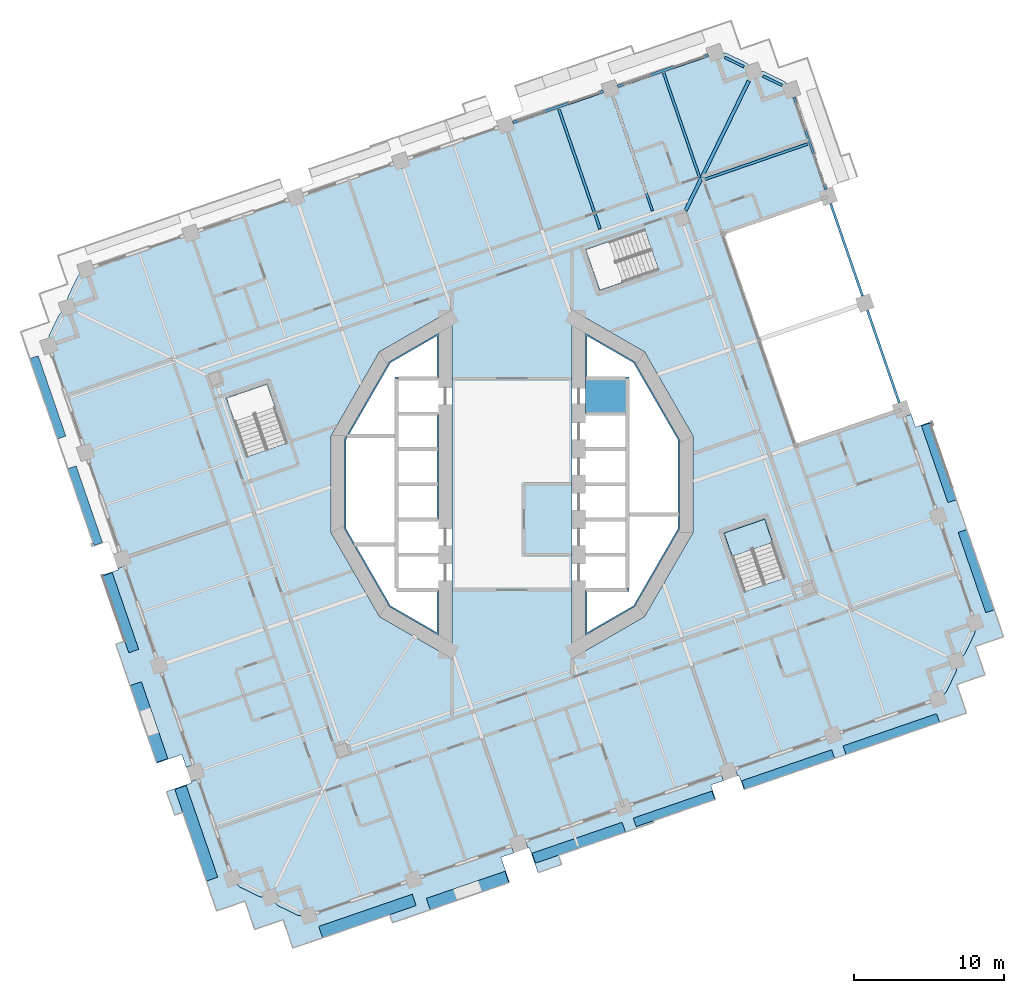
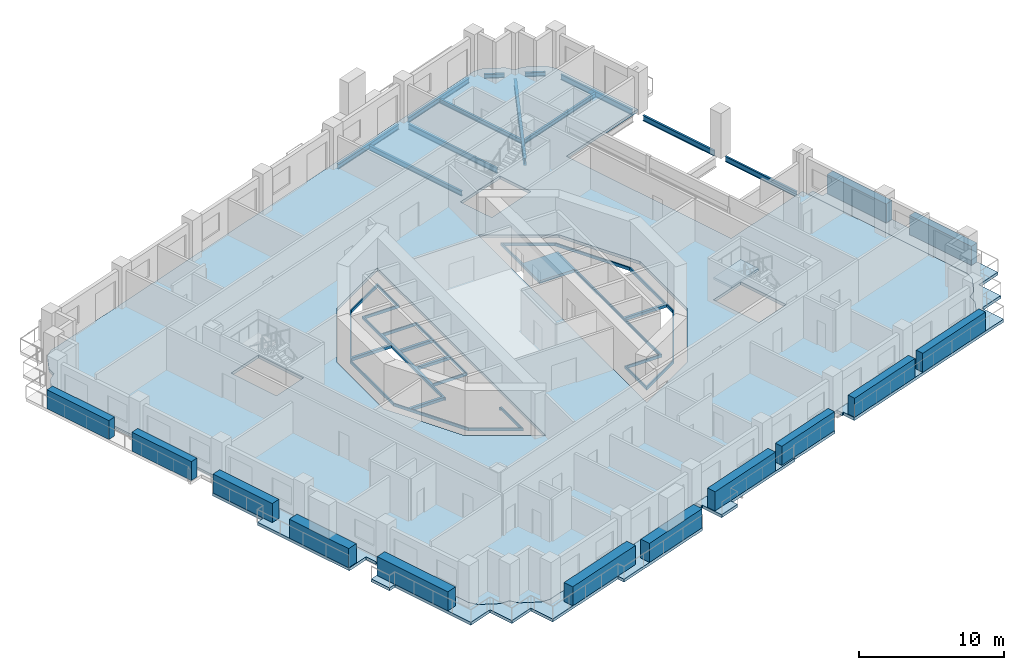
# One storey, part 5 of 19: 13 plates, 12 beams, 8 slabs, 1 element without a shape of its own.
"""IFC4 building model written with IfcOpenShell, lengths in metres."""

from ifc_helpers import new_model, si_unit, direction, frame, origin, origin_2d, place, context, subcontext, project, spatial, polyline, rectangle, i_section, outline, extrude, material, layer, layer_set, material_profile, profile_set, type_object, element, aggregate, save


model = new_model("IFC4")

# Units and contexts
model_context = context("Model", 3, precision=1e-05, world=origin(), true_north=direction((0.0, 1.0)))
body_context = subcontext(model_context, "Body", "Model", "MODEL_VIEW")
ifc_project = project(units=[si_unit("LENGTHUNIT", "METRE"), si_unit("AREAUNIT", "SQUARE_METRE"), si_unit("VOLUMEUNIT", "CUBIC_METRE"), si_unit("PLANEANGLEUNIT", "RADIAN"), si_unit("MASSUNIT", "GRAM", prefix="KILO")], contexts=[model_context])

# Site, building, storey
site_placement = place(None, origin())
site = spatial("IfcSite", under=ifc_project, at=site_placement, CompositionType="ELEMENT")
building_placement = place(site_placement, origin())
building = spatial("IfcBuilding", under=site, at=building_placement, Name="Cantera Rosa Tower", CompositionType="ELEMENT")
storey_placement = place(building_placement, frame((0.0, 0.0, 126.89990234375)))
storey = spatial("IfcBuildingStorey", under=building, at=storey_placement, Name="L26", CompositionType="ELEMENT", Elevation=126.89990234375)

# Beams
ifc_material_1 = material(Name="Steel ASTM A992 (Fy 345 MPa)", Category="steel")
ifc_material_profile_1 = material_profile(ifc_material_1, i_section(OverallWidth=0.154052734375, OverallDepth=0.4599609375, WebThickness=0.009033203125, FlangeThickness=0.015380859375, FilletRadius=0.01025390625, at=origin_2d()), Name="W460X68")
ifc_profile_set_1 = profile_set([ifc_material_profile_1], Name="Steel ASTM A992 (Fy 345 MPa)")
beam_type_1 = type_object("IfcBeamType", Name="STEEL BEAM W460X68", PredefinedType="BEAM", material=ifc_profile_set_1)
beam_1_placement = place(storey_placement, frame((6.7333984375, 25.903564453125, -0.47998046875), z_axis=(0.325580085327, -0.945514467387, 0.0), x_axis=(0.945514467387, 0.325580085327, 0.0)))
element("IfcBeam", 1, at=beam_1_placement, inside=storey, type_object=beam_type_1, Name="G-Z2-05 L26", PredefinedType="BEAM", context=body_context, shape_type="SweptSolid", body=[
    extrude(i_section(OverallWidth=0.154052734375, OverallDepth=0.4599609375, WebThickness=0.009033203125, FlangeThickness=0.015380859375, FilletRadius=0.01025390625, at=origin_2d()), origin(), (0.0, 0.0, 1.0), 8.10009765625),
])
ifc_material_2 = material(Name="Steel ASTM A992 (Fy 345 MPa)", Category="steel")
ifc_material_profile_2 = material_profile(ifc_material_2, i_section(OverallWidth=0.22802734375, OverallDepth=0.60205078125, WebThickness=0.010498046875, FlangeThickness=0.014892578125, FilletRadius=0.0126953125, at=origin_2d()), Name="W610X101")
ifc_profile_set_2 = profile_set([ifc_material_profile_2], Name="Steel ASTM A992 (Fy 345 MPa)")
beam_type_2 = type_object("IfcBeamType", Name="STEEL BEAM W610X101", PredefinedType="BEAM", material=ifc_profile_set_2)
beam_2_placement = place(storey_placement, frame((15.7998046875, 26.909912109375, -0.55078125), z_axis=(-0.438387618569, -0.898786012288, 0.0), x_axis=(0.898786012288, -0.438387618569, 0.0)))
element("IfcBeam", 2, at=beam_2_placement, inside=storey, type_object=beam_type_2, Name="CB-Z2-01 L26", PredefinedType="BEAM", context=body_context, shape_type="SweptSolid", body=[
    extrude(i_section(OverallWidth=0.22802734375, OverallDepth=0.60205078125, WebThickness=0.010498046875, FlangeThickness=0.014892578125, FilletRadius=0.0126953125, at=origin_2d()), origin(), (0.0, 0.0, 1.0), 9.61669921875),
])
ifc_material_3 = material(Name="Steel ASTM A992 (Fy 345 MPa)", Category="steel")
ifc_material_profile_3 = material_profile(ifc_material_3, i_section(OverallWidth=0.1708984375, OverallDepth=0.35595703125, WebThickness=0.00732421875, FlangeThickness=0.01171875, FilletRadius=0.010009765625, at=origin_2d()), Name="W360X51")
ifc_profile_set_3 = profile_set([ifc_material_profile_3], Name="Steel ASTM A992 (Fy 345 MPa)")
beam_type_3 = type_object("IfcBeamType", Name="STEEL JOIST W360X51", PredefinedType="JOIST", material=ifc_profile_set_3)
beam_3_placement = place(storey_placement, frame((19.734130859375, 22.70166015625, -0.427978515625), z_axis=(-0.945518264054, -0.32556905925, 0.0), x_axis=(0.32556905925, -0.945518264054, 0.0)))
element("IfcBeam", 3, at=beam_3_placement, inside=storey, type_object=beam_type_3, Name="B-Z2-05 L26", PredefinedType="JOIST", context=body_context, shape_type="SweptSolid", body=[
    extrude(i_section(OverallWidth=0.1708984375, OverallDepth=0.35595703125, WebThickness=0.00732421875, FlangeThickness=0.01171875, FilletRadius=0.010009765625, at=origin_2d()), origin(), (0.0, 0.0, 1.0), 7.4599609375),
])
beam_4_placement = place(storey_placement, frame((10.117919921875, 27.43896484375, -0.427978515625), z_axis=(0.325565645331, -0.945519439557, 0.0), x_axis=(0.945519439557, 0.325565645331, 0.0)))
element("IfcBeam", 4, at=beam_4_placement, inside=storey, type_object=beam_type_3, Name="B-Z2-06 L26", PredefinedType="JOIST", context=body_context, shape_type="SweptSolid", body=[
    extrude(i_section(OverallWidth=0.1708984375, OverallDepth=0.35595703125, WebThickness=0.00732421875, FlangeThickness=0.01171875, FilletRadius=0.010009765625, at=origin_2d()), origin(), (0.0, 0.0, 1.0), 7.39990234375),
])
ifc_material_4 = material(Name="Steel ASTM A992 (Fy 345 MPa)", Category="steel")
ifc_material_profile_4 = material_profile(ifc_material_4, i_section(OverallWidth=0.177978515625, OverallDepth=0.406005859375, WebThickness=0.0078125, FlangeThickness=0.0126953125, FilletRadius=0.01025390625, at=origin_2d()), Name="W410X60")
ifc_profile_set_4 = profile_set([ifc_material_profile_4], Name="Steel ASTM A992 (Fy 345 MPa)")
beam_type_4 = type_object("IfcBeamType", Name="STEEL JOIST W410X60", PredefinedType="JOIST", material=ifc_profile_set_4)
beam_5_placement = place(storey_placement, frame((3.12109375, 25.02978515625, -0.452880859375), z_axis=(0.325565025235, -0.945519653071, 0.0), x_axis=(0.945519653071, 0.325565025235, 0.0)))
element("IfcBeam", 5, at=beam_5_placement, inside=storey, type_object=beam_type_4, Name="B-Z2-07 L26", PredefinedType="JOIST", context=body_context, shape_type="SweptSolid", body=[
    extrude(i_section(OverallWidth=0.177978515625, OverallDepth=0.406005859375, WebThickness=0.0078125, FlangeThickness=0.0126953125, FilletRadius=0.01025390625, at=origin_2d()), origin(), (0.0, 0.0, 1.0), 8.449951171875),
])
ifc_material_5 = material(Name="Steel ASTM A992 (Fy 345 MPa)", Category="steel")
ifc_material_profile_5 = material_profile(ifc_material_5, i_section(OverallWidth=0.1708984375, OverallDepth=0.35595703125, WebThickness=0.00732421875, FlangeThickness=0.01171875, FilletRadius=0.010009765625, at=origin_2d()), Name="W360X51")
ifc_profile_set_5 = profile_set([ifc_material_profile_5], Name="Steel ASTM A992 (Fy 345 MPa)")
beam_type_5 = type_object("IfcBeamType", Name="STEEL SPANDREL BEAM W360X51", PredefinedType="SPANDREL", material=ifc_profile_set_5)
for number, where, z_axis, x_axis, name in (
    (6, (18.016357421875, 26.61572265625, -0.427978515625), (-0.898803287583, 0.438352198842, 0.0), (-0.438352198842, -0.898803287583, 0.0), "EB-Z2-06 L26"),
    (7, (15.47412109375, 27.85546875, -0.427978515625), (-0.898803287583, 0.438352198842, 0.0), (-0.438352198842, -0.898803287583, 0.0), "EB-Z2-07 L26"),
):
    element("IfcBeam", number, at=place(storey_placement, frame(where, z_axis=z_axis, x_axis=x_axis)), inside=storey, type_object=beam_type_5, Name=name, PredefinedType="SPANDREL", context=body_context, shape_type="SweptSolid", body=[
        extrude(i_section(OverallWidth=0.1708984375, OverallDepth=0.35595703125, WebThickness=0.00732421875, FlangeThickness=0.01171875, FilletRadius=0.010009765625, at=origin_2d()), origin(), (0.0, 0.0, 1.0), 1.4140625),
    ])
ifc_material_6 = material(Name="Steel ASTM A992 (Fy 345 MPa)", Category="steel")
ifc_material_profile_6 = material_profile(ifc_material_6, i_section(OverallWidth=0.177978515625, OverallDepth=0.406005859375, WebThickness=0.0078125, FlangeThickness=0.0126953125, FilletRadius=0.01025390625, at=origin_2d()), Name="W410X60")
ifc_profile_set_6 = profile_set([ifc_material_profile_6], Name="Steel ASTM A992 (Fy 345 MPa)")
beam_type_6 = type_object("IfcBeamType", Name="STEEL SPANDREL BEAM W410X60", PredefinedType="SPANDREL", material=ifc_profile_set_6)
for number, where, z_axis, x_axis, name in (
    (8, (13.0947265625, 28.62255859375, -0.452880859375), (-0.945524496524, -0.325550958337, 0.0), (0.325550958337, -0.945524496524, 0.0), "EB-Z2-08 L26"),
    (9, (6.097900390625, 26.21337890625, -0.452880859375), (-0.945524496524, -0.325550958337, 0.0), (0.325550958337, -0.945524496524, 0.0), "EB-Z2-09 L26"),
):
    element("IfcBeam", number, at=place(storey_placement, frame(where, z_axis=z_axis, x_axis=x_axis)), inside=storey, type_object=beam_type_6, Name=name, PredefinedType="SPANDREL", context=body_context, shape_type="SweptSolid", body=[
        extrude(i_section(OverallWidth=0.177978515625, OverallDepth=0.406005859375, WebThickness=0.0078125, FlangeThickness=0.0126953125, FilletRadius=0.01025390625, at=origin_2d()), origin(), (0.0, 0.0, 1.0), 6.39990234375),
    ])
ifc_material_7 = material(Name="Steel ASTM A992 (Fy 345 MPa)", Category="steel")
ifc_material_profile_7 = material_profile(ifc_material_7, i_section(OverallWidth=0.154052734375, OverallDepth=0.4599609375, WebThickness=0.009033203125, FlangeThickness=0.015380859375, FilletRadius=0.01025390625, at=origin_2d()), Name="W460X68")
ifc_profile_set_7 = profile_set([ifc_material_profile_7], Name="Steel ASTM A992 (Fy 345 MPa)")
beam_type_7 = type_object("IfcBeamType", Name="STEEL SPANDREL BEAM W460X68", PredefinedType="SPANDREL", material=ifc_profile_set_7)
for number, where, z_axis, x_axis, name in (
    (10, (25.833984375, 5.447509765625, -0.47998046875), (-0.325580990241, 0.945514155787, 0.0), (-0.945514155787, -0.325580990241, 0.0), "EB-Z2-03 L26"),
    (11, (23.3857421875, 12.557861328125, -0.47998046875), (-0.325580990241, 0.945514155787, 0.0), (-0.945514155787, -0.325580990241, 0.0), "EB-Z2-04 L26"),
):
    element("IfcBeam", number, at=place(storey_placement, frame(where, z_axis=z_axis, x_axis=x_axis)), inside=storey, type_object=beam_type_7, Name=name, PredefinedType="SPANDREL", context=body_context, shape_type="SweptSolid", body=[
        extrude(i_section(OverallWidth=0.154052734375, OverallDepth=0.4599609375, WebThickness=0.009033203125, FlangeThickness=0.015380859375, FilletRadius=0.01025390625, at=origin_2d()), origin(), (0.0, 0.0, 1.0), 6.52001953125),
    ])
beam_6_placement = place(storey_placement, frame((20.9375, 19.668212890625, -0.47998046875), z_axis=(-0.325592517631, 0.945510186335, 0.0), x_axis=(-0.945510186335, -0.325592517631, 0.0)))
element("IfcBeam", 12, at=beam_6_placement, inside=storey, type_object=beam_type_7, Name="EB-Z2-05 L26", PredefinedType="SPANDREL", context=body_context, shape_type="SweptSolid", body=[
    extrude(i_section(OverallWidth=0.154052734375, OverallDepth=0.4599609375, WebThickness=0.009033203125, FlangeThickness=0.015380859375, FilletRadius=0.01025390625, at=origin_2d()), origin(), (0.0, 0.0, 1.0), 6.519775390625),
])

# Slabs
ifc_material_8 = material(Name="Concrete C35/45", Category="concrete")
ifc_layer_1 = layer(ifc_material_8, 0.25)
ifc_layer_set_1 = layer_set([ifc_layer_1], Name="COMPOSITE FLOOR SLAB 250 C35/45")
slab_type_1 = type_object("IfcSlabType", Name="COMPOSITE FLOOR SLAB 250 C35/45", PredefinedType="FLOOR", material=ifc_layer_set_1)
slab_1_placement = place(storey_placement, frame((0.0, 0.0, -0.25)))
element("IfcSlab", 13, at=slab_1_placement, inside=storey, type_object=slab_type_1, Name="SLAB L26 floor 1", PredefinedType="FLOOR", context=body_context, shape_type="SweptSolid", body=[
    extrude(outline(polyline([(-10.403076171875, -4.12939453125), (-8.106689453125, -8.106689453125), (-5.0, -9.900390625), (-5.0, -7.14990234375), (-5.0927734375, -7.050048828125), (-4.89990234375, -7.050048828125), (-4.89990234375, -10.07373046875), (-8.179931640625, -8.179931640625), (-11.174072265625, -2.994140625), (-11.174072265625, 2.994140625), (-8.179931640625, 8.179931640625), (-4.89990234375, 10.07373046875), (-4.89990234375, 7.050048828125), (-7.699951171875, 7.050048828125), (-7.699951171875, 4.699951171875), (-4.89990234375, 4.699951171875), (-4.89990234375, -2.35009765625), (-7.699951171875, -2.35009765625), (-7.699951171875, -4.2373046875), (-7.800048828125, -4.12939453125), (-10.403076171875, -4.12939453125)]), holes=[polyline([(-7.60009765625, -0.10009765625), (-7.60009765625, -2.25), (-5.0, -2.25), (-5.0, -0.10009765625), (-7.60009765625, -0.10009765625)]), polyline([(-11.07421875, 2.96728515625), (-11.07421875, -2.96728515625), (-10.5185546875, -3.929443359375), (-7.800048828125, -3.929443359375), (-7.800048828125, -2.449951171875), (-7.800048828125, -2.25), (-7.800048828125, 2.25), (-7.800048828125, 2.449951171875), (-7.800048828125, 3.12353515625), (-10.98388671875, 3.12353515625), (-11.07421875, 2.96728515625)]), polyline([(-7.60009765625, 2.25), (-7.60009765625, 0.10009765625), (-5.0, 0.10009765625), (-5.0, 2.25), (-7.60009765625, 2.25)]), polyline([(-7.60009765625, 4.60009765625), (-7.60009765625, 2.449951171875), (-5.0, 2.449951171875), (-5.0, 4.60009765625), (-7.60009765625, 4.60009765625)]), polyline([(-8.106689453125, 8.106689453125), (-10.868408203125, 3.323486328125), (-7.800048828125, 3.323486328125), (-7.800048828125, 7.14990234375), (-5.0, 7.14990234375), (-5.0, 9.900390625), (-8.106689453125, 8.106689453125)])]), origin(), (0.0, 0.0, 1.0), 0.25),
])
slab_2_placement = place(storey_placement, frame((0.0, 0.0, -0.25)))
element("IfcSlab", 14, at=slab_2_placement, inside=storey, type_object=slab_type_1, Name="SLAB L26 floor 2", PredefinedType="FLOOR", context=body_context, shape_type="SweptSolid", body=[
    extrude(outline(polyline([(-14.334716796875, -28.7451171875), (-15.605712890625, -28.125), (-15.631591796875, -28.111083984375), (-15.65576171875, -28.09423828125), (-15.67822265625, -28.075439453125), (-15.698974609375, -28.05419921875), (-16.109619140625, -27.54541015625), (-16.763671875, -27.534912109375), (-16.79296875, -27.53173828125), (-16.82177734375, -27.525634765625), (-16.849609375, -27.516845703125), (-16.876708984375, -27.505126953125), (-18.14794921875, -26.88525390625), (-18.173583984375, -26.87109375), (-18.197998046875, -26.8544921875), (-18.220458984375, -26.83544921875), (-18.240966796875, -26.814453125), (-18.65185546875, -26.3056640625), (-18.948974609375, -25.443115234375), (-30.893310546875, 9.245849609375), (-30.8828125, 9.899658203125), (-30.87939453125, 9.928955078125), (-30.873291015625, 9.957763671875), (-30.864501953125, 9.98583984375), (-30.852783203125, 10.012939453125), (-30.23291015625, 11.283935546875), (-30.21875, 11.309814453125), (-30.2021484375, 11.333984375), (-30.18310546875, 11.356689453125), (-30.162109375, 11.377197265625), (-29.6533203125, 11.7880859375), (-29.642822265625, 12.44189453125), (-29.6396484375, 12.47119140625), (-29.633544921875, 12.5), (-29.62451171875, 12.528076171875), (-29.613037109375, 12.55517578125), (-28.9931640625, 13.826171875), (-28.97900390625, 13.85205078125), (-28.962158203125, 13.876220703125), (-28.943359375, 13.898681640625), (-28.922119140625, 13.91943359375), (-28.41357421875, 14.330078125), (-27.55078125, 14.627197265625), (13.567626953125, 28.785400390625), (14.221435546875, 28.77490234375), (14.250732421875, 28.771728515625), (14.279541015625, 28.765625), (14.3076171875, 28.756591796875), (14.334716796875, 28.7451171875), (15.605712890625, 28.125), (15.631591796875, 28.111083984375), (15.65576171875, 28.09423828125), (15.67822265625, 28.075439453125), (15.698974609375, 28.05419921875), (16.109619140625, 27.54541015625), (16.763671875, 27.534912109375), (16.79296875, 27.53173828125), (16.82177734375, 27.525634765625), (16.849609375, 27.516845703125), (16.876708984375, 27.505126953125), (18.14794921875, 26.88525390625), (18.173583984375, 26.87109375), (18.197998046875, 26.8544921875), (18.220458984375, 26.83544921875), (18.240966796875, 26.814453125), (18.65185546875, 26.3056640625), (18.948974609375, 25.443115234375), (21.10009765625, 19.1953125), (14.0087890625, 16.753662109375), (18.9052734375, 2.532958984375), (25.99658203125, 4.974609375), (30.893310546875, -9.245849609375), (30.8828125, -9.899658203125), (30.87939453125, -9.928955078125), (30.873291015625, -9.957763671875), (30.864501953125, -9.98583984375), (30.852783203125, -10.012939453125), (30.23291015625, -11.283935546875), (30.21875, -11.309814453125), (30.2021484375, -11.333984375), (30.18310546875, -11.356689453125), (30.162109375, -11.377197265625), (29.6533203125, -11.7880859375), (29.642822265625, -12.44189453125), (29.6396484375, -12.47119140625), (29.633544921875, -12.5), (29.62451171875, -12.528076171875), (29.613037109375, -12.55517578125), (28.9931640625, -13.826171875), (28.97900390625, -13.85205078125), (28.962158203125, -13.876220703125), (28.943359375, -13.898681640625), (28.922119140625, -13.91943359375), (28.41357421875, -14.330078125), (27.55078125, -14.627197265625), (-13.567626953125, -28.785400390625), (-14.221435546875, -28.77490234375), (-14.250732421875, -28.771728515625), (-14.279541015625, -28.765625), (-14.3076171875, -28.756591796875), (-14.334716796875, -28.7451171875)]), holes=[polyline([(-8.8388671875, 8.8388671875), (-12.07421875, 3.235107421875), (-12.07421875, -3.235107421875), (-8.8388671875, -8.8388671875), (-4.0, -11.632568359375), (-4.0, 11.632568359375), (-8.8388671875, 8.8388671875)]), polyline([(-15.000732421875, 2.751708984375), (-16.347900390625, 6.6640625), (-19.042724609375, 5.736083984375), (-17.695556640625, 1.82373046875), (-15.000732421875, 2.751708984375)]), polyline([(18.19921875, -6.248291015625), (16.85205078125, -2.3359375), (14.1572265625, -3.263916015625), (15.50439453125, -7.17626953125), (18.19921875, -6.248291015625)]), polyline([(8.8388671875, -8.8388671875), (12.07421875, -3.235107421875), (12.07421875, 3.235107421875), (8.8388671875, 8.8388671875), (4.0, 11.632568359375), (4.0, -11.632568359375), (8.8388671875, -8.8388671875)]), polyline([(9.7763671875, 14.304443359375), (8.848388671875, 16.999267578125), (4.935791015625, 15.652099609375), (5.86376953125, 12.957275390625), (9.7763671875, 14.304443359375)])]), origin(), (0.0, 0.0, 1.0), 0.25),
])
slab_3_placement = place(storey_placement, frame((0.0, 0.0, -0.25)))
element("IfcSlab", 15, at=slab_3_placement, inside=storey, type_object=slab_type_1, Name="SLAB L26 floor 3", PredefinedType="FLOOR", context=body_context, shape_type="SweptSolid", body=[
    extrude(outline(polyline([(7.699951171875, 0.0), (7.699951171875, 2.35009765625), (7.699951171875, 4.699951171875), (4.89990234375, 4.699951171875), (4.89990234375, 10.07373046875), (8.179931640625, 8.179931640625), (11.174072265625, 2.994140625), (11.174072265625, -2.994140625), (8.179931640625, -8.179931640625), (4.89990234375, -10.07373046875), (4.89990234375, -7.050048828125), (7.699951171875, -7.050048828125), (7.699951171875, -4.699951171875), (7.699951171875, -2.35009765625), (7.699951171875, 0.0)]), holes=[polyline([(7.800048828125, -2.25), (7.800048828125, -2.449951171875), (7.800048828125, -7.14990234375), (5.0, -7.14990234375), (5.0, -9.900390625), (8.106689453125, -8.106689453125), (11.07421875, -2.96728515625), (11.07421875, -2.11474609375), (7.800048828125, -2.11474609375), (7.800048828125, -2.25)]), polyline([(5.0, 7.14990234375), (7.800048828125, 7.14990234375), (7.800048828125, 2.449951171875), (7.800048828125, 2.25), (7.800048828125, -1.914794921875), (11.07421875, -1.914794921875), (11.07421875, 2.96728515625), (8.106689453125, 8.106689453125), (5.0, 9.900390625), (5.0, 7.14990234375)])]), origin(), (0.0, 0.0, 1.0), 0.25),
])
ifc_material_9 = material(Name="Concrete C35/45", Category="concrete")
ifc_layer_2 = layer(ifc_material_9, 0.25)
ifc_layer_set_2 = layer_set([ifc_layer_2], Name="LOGGIA SLAB 250 C35/45")
slab_type_2 = type_object("IfcSlabType", Name="LOGGIA SLAB 250 C35/45", PredefinedType="FLOOR", material=ifc_layer_set_2)
slab_4_placement = place(storey_placement, frame((0.0, 0.0, -0.25)))
element("IfcSlab", 16, at=slab_4_placement, inside=storey, type_object=slab_type_2, Name="LOGGIA SLAB L26 2", PredefinedType="FLOOR", context=body_context, shape_type="SweptSolid", body=[
    extrude(outline(polyline([(-27.3505859375, -6.075439453125), (-26.274169921875, -5.704833984375), (-26.306640625, -5.6103515625), (-25.833984375, -5.447509765625), (-21.262939453125, -18.72265625), (-21.735595703125, -18.885498046875), (-22.02880859375, -18.034423828125), (-23.703369140625, -18.611083984375), (-26.435302734375, -10.677001953125), (-25.837158203125, -10.470947265625), (-27.3505859375, -6.075439453125)])), origin(), (0.0, 0.0, 1.0), 0.25),
])
slab_5_placement = place(storey_placement, frame((0.0, 0.0, -0.25)))
element("IfcSlab", 17, at=slab_5_placement, inside=storey, type_object=slab_type_2, Name="LOGGIA SLAB L26 3", PredefinedType="FLOOR", context=body_context, shape_type="SweptSolid", body=[
    extrude(outline(polyline([(-13.01416015625, -30.392822265625), (-14.62158203125, -30.9462890625), (-15.1748046875, -29.3388671875), (-15.272705078125, -29.05517578125), (-15.556396484375, -29.15283203125), (-17.16357421875, -29.706298828125), (-17.717041015625, -28.09912109375), (-17.814697265625, -27.815185546875), (-18.098388671875, -27.9130859375), (-19.705810546875, -28.466552734375), (-20.25927734375, -26.859130859375), (-21.968017578125, -21.896240234375), (-22.50830078125, -22.082275390625), (-23.05224609375, -20.502197265625), (-21.377685546875, -19.92529296875), (-21.41015625, -19.830810546875), (-20.9375, -19.668212890625), (-18.948974609375, -25.443115234375), (-18.65185546875, -26.3056640625), (-18.240966796875, -26.814453125), (-18.220458984375, -26.83544921875), (-18.197998046875, -26.8544921875), (-18.173583984375, -26.87109375), (-18.14794921875, -26.88525390625), (-16.876708984375, -27.505126953125), (-16.849609375, -27.516845703125), (-16.82177734375, -27.525634765625), (-16.79296875, -27.53173828125), (-16.763671875, -27.534912109375), (-16.109619140625, -27.54541015625), (-15.698974609375, -28.05419921875), (-15.67822265625, -28.075439453125), (-15.65576171875, -28.09423828125), (-15.631591796875, -28.111083984375), (-15.605712890625, -28.125), (-14.334716796875, -28.7451171875), (-14.3076171875, -28.756591796875), (-14.279541015625, -28.765625), (-14.250732421875, -28.771728515625), (-14.221435546875, -28.77490234375), (-13.567626953125, -28.785400390625), (-0.046630859375, -24.1298828125), (0.1162109375, -24.6025390625), (-0.73486328125, -24.8955078125), (-0.158935546875, -26.56787109375), (-7.977294921875, -29.260009765625), (-8.162353515625, -28.72216796875), (-13.01416015625, -30.392822265625)])), origin(), (0.0, 0.0, 1.0), 0.25),
])
slab_6_placement = place(storey_placement, frame((0.0, 0.0, -0.25)))
element("IfcSlab", 18, at=slab_6_placement, inside=storey, type_object=slab_type_2, Name="LOGGIA SLAB L26 5", PredefinedType="FLOOR", context=body_context, shape_type="SweptSolid", body=[
    extrude(outline(polyline([(1.061767578125, -24.277099609375), (0.89892578125, -23.80419921875), (13.947021484375, -19.311279296875), (14.10986328125, -19.7841796875), (13.2587890625, -20.0771484375), (13.58447265625, -21.022705078125), (13.489990234375, -21.05517578125), (9.44140625, -22.44921875), (9.47998046875, -22.56103515625), (3.097900390625, -24.758544921875), (3.309814453125, -25.37353515625), (1.73193359375, -25.916748046875), (1.15625, -24.244384765625), (1.061767578125, -24.277099609375)])), origin(), (0.0, 0.0, 1.0), 0.25),
])
slab_7_placement = place(storey_placement, frame((0.0, 0.0, -0.25)))
element("IfcSlab", 19, at=slab_7_placement, inside=storey, type_object=slab_type_2, Name="LOGGIA SLAB L26 7", PredefinedType="FLOOR", context=body_context, shape_type="SweptSolid", body=[
    extrude(outline(polyline([(29.375, -0.22900390625), (30.3515625, -3.0654296875), (32.3115234375, -8.757568359375), (32.7998046875, -10.17578125), (31.381591796875, -10.6640625), (30.908935546875, -10.826904296875), (31.071533203125, -11.2998046875), (31.56005859375, -12.718017578125), (30.1416015625, -13.206298828125), (29.6689453125, -13.369140625), (29.831787109375, -13.841796875), (30.320068359375, -15.260009765625), (28.90185546875, -15.74853515625), (23.3232421875, -17.669189453125), (20.48681640625, -18.64599609375), (16.326416015625, -20.07861328125), (15.4755859375, -20.37158203125), (15.14990234375, -19.426025390625), (15.055419921875, -19.45849609375), (14.892578125, -18.98583984375), (27.55078125, -14.627197265625), (28.41357421875, -14.330078125), (28.922119140625, -13.91943359375), (28.943359375, -13.898681640625), (28.962158203125, -13.876220703125), (28.97900390625, -13.85205078125), (28.9931640625, -13.826171875), (29.613037109375, -12.55517578125), (29.62451171875, -12.528076171875), (29.633544921875, -12.5), (29.6396484375, -12.47119140625), (29.642822265625, -12.44189453125), (29.6533203125, -11.7880859375), (30.162109375, -11.377197265625), (30.18310546875, -11.356689453125), (30.2021484375, -11.333984375), (30.21875, -11.309814453125), (30.23291015625, -11.283935546875), (30.852783203125, -10.012939453125), (30.864501953125, -9.98583984375), (30.873291015625, -9.957763671875), (30.87939453125, -9.928955078125), (30.8828125, -9.899658203125), (30.893310546875, -9.245849609375), (26.159423828125, 4.501953125), (26.63232421875, 4.664794921875), (26.92529296875, 3.813720703125), (28.001708984375, 4.184326171875), (28.079345703125, 3.958984375), (27.948486328125, 3.913818359375), (29.375, -0.22900390625)])), origin(), (0.0, 0.0, 1.0), 0.25),
])

# Plates
ifc_material_10 = material(Name="Cantera stone planter with soil", Category="masonry")
plate_type_1 = type_object("IfcPlateType", Name="PLANTER 600", PredefinedType="USERDEFINED", material=ifc_material_10)
plate_1_placement = place(storey_placement, frame((30.974609375, -5.79638671875, 0.0), z_axis=(0.0, 0.0, 1.0), x_axis=(-0.325568154457, 0.945518575599, 0.0)))
element("IfcPlate", 20, at=plate_1_placement, inside=storey, type_object=plate_type_1, Name="PLANTER L26-01", ObjectType="PLANTER", PredefinedType="USERDEFINED", context=body_context, shape_type="SweptSolid", body=[
    extrude(rectangle(XDim=5.669921875, YDim=0.60009765625, at=origin_2d()), origin(), (0.0, 0.0, 1.0), 1.60009765625),
])
plate_2_placement = place(storey_placement, frame((28.485595703125, 1.43212890625, 0.0), z_axis=(0.0, 0.0, 1.0), x_axis=(-0.325568154457, 0.945518575599, 0.0)))
element("IfcPlate", 21, at=plate_2_placement, inside=storey, type_object=plate_type_1, Name="PLANTER L26-02", ObjectType="PLANTER", PredefinedType="USERDEFINED", context=body_context, shape_type="SweptSolid", body=[
    extrude(rectangle(XDim=5.419921875, YDim=0.60009765625, at=origin_2d()), origin(), (0.0, 0.0, 1.0), 1.60009765625),
])
plate_3_placement = place(storey_placement, frame((-30.974609375, 5.79638671875, 0.0), z_axis=(0.0, 0.0, 1.0), x_axis=(0.325568154457, -0.945518575599, 0.0)))
element("IfcPlate", 22, at=plate_3_placement, inside=storey, type_object=plate_type_1, Name="PLANTER L26-12", ObjectType="PLANTER", PredefinedType="USERDEFINED", context=body_context, shape_type="SweptSolid", body=[
    extrude(rectangle(XDim=5.669921875, YDim=0.60009765625, at=origin_2d()), origin(), (0.0, 0.0, 1.0), 1.60009765625),
])
plate_4_placement = place(storey_placement, frame((-28.485595703125, -1.43212890625, 0.0), z_axis=(0.0, 0.0, 1.0), x_axis=(0.325568154457, -0.945518575599, 0.0)))
element("IfcPlate", 23, at=plate_4_placement, inside=storey, type_object=plate_type_1, Name="PLANTER L26-13", ObjectType="PLANTER", PredefinedType="USERDEFINED", context=body_context, shape_type="SweptSolid", body=[
    extrude(rectangle(XDim=5.419921875, YDim=0.60009765625, at=origin_2d()), origin(), (0.0, 0.0, 1.0), 1.60009765625),
])
plate_5_placement = place(storey_placement, frame((10.815673828125, -21.65869140625, 0.0), z_axis=(0.0, 0.0, 1.0), x_axis=(0.945518575599, 0.325568154457, 0.0)))
element("IfcPlate", 24, at=plate_5_placement, inside=storey, type_object=plate_type_1, Name="PLANTER L26-20", ObjectType="PLANTER", PredefinedType="USERDEFINED", context=body_context, shape_type="SweptSolid", body=[
    extrude(rectangle(XDim=5.550048828125, YDim=0.60009765625, at=origin_2d()), origin(), (0.0, 0.0, 1.0), 1.60009765625),
])
plate_6_placement = place(storey_placement, frame((18.427001953125, -19.037841796875, 0.0), z_axis=(0.0, 0.0, 1.0), x_axis=(0.945518575599, 0.325568154457, 0.0)))
element("IfcPlate", 25, at=plate_6_placement, inside=storey, type_object=plate_type_1, Name="PLANTER L26-21", ObjectType="PLANTER", PredefinedType="USERDEFINED", context=body_context, shape_type="SweptSolid", body=[
    extrude(rectangle(XDim=6.35009765625, YDim=0.60009765625, at=origin_2d()), origin(), (0.0, 0.0, 1.0), 1.60009765625),
])
plate_7_placement = place(storey_placement, frame((25.3056640625, -16.66943359375, 0.0), z_axis=(0.0, 0.0, 1.0), x_axis=(0.945518575599, 0.325568154457, 0.0)))
element("IfcPlate", 26, at=plate_7_placement, inside=storey, type_object=plate_type_1, Name="PLANTER L26-22", ObjectType="PLANTER", PredefinedType="USERDEFINED", context=body_context, shape_type="SweptSolid", body=[
    extrude(rectangle(XDim=6.60009765625, YDim=0.60009765625, at=origin_2d()), origin(), (0.0, 0.0, 1.0), 1.60009765625),
])
ifc_material_11 = material(Name="Cantera stone planter with soil", Category="masonry")
plate_type_2 = type_object("IfcPlateType", Name="PLANTER 700", PredefinedType="USERDEFINED", material=ifc_material_11)
plate_8_placement = place(storey_placement, frame((-26.12109375, -8.571044921875, 0.0), z_axis=(0.0, 0.0, 1.0), x_axis=(0.325568154457, -0.945518575599, 0.0)))
element("IfcPlate", 27, at=plate_8_placement, inside=storey, type_object=plate_type_2, Name="PLANTER L26-14", ObjectType="PLANTER", PredefinedType="USERDEFINED", context=body_context, shape_type="SweptSolid", body=[
    extrude(rectangle(XDim=5.419921875, YDim=0.699951171875, at=origin_2d()), origin(), (0.0, 0.0, 1.0), 1.60009765625),
])
plate_9_placement = place(storey_placement, frame((4.45556640625, -23.9208984375, 0.0), z_axis=(0.0, 0.0, 1.0), x_axis=(0.945518575599, 0.325568154457, 0.0)))
element("IfcPlate", 28, at=plate_9_placement, inside=storey, type_object=plate_type_2, Name="PLANTER L26-19", ObjectType="PLANTER", PredefinedType="USERDEFINED", context=body_context, shape_type="SweptSolid", body=[
    extrude(rectangle(XDim=6.35009765625, YDim=0.699951171875, at=origin_2d()), origin(), (0.0, 0.0, 1.0), 1.60009765625),
])
ifc_material_12 = material(Name="Cantera stone planter with soil", Category="masonry")
plate_type_3 = type_object("IfcPlateType", Name="PLANTER 800", PredefinedType="USERDEFINED", material=ifc_material_12)
plate_10_placement = place(storey_placement, frame((-24.223876953125, -15.87109375, 0.0), z_axis=(0.0, 0.0, 1.0), x_axis=(0.325568154457, -0.945518575599, 0.0)))
element("IfcPlate", 29, at=plate_10_placement, inside=storey, type_object=plate_type_3, Name="PLANTER L26-15", ObjectType="PLANTER", PredefinedType="USERDEFINED", context=body_context, shape_type="SweptSolid", body=[
    extrude(rectangle(XDim=5.419921875, YDim=0.800048828125, at=origin_2d()), origin(), (0.0, 0.0, 1.0), 1.60009765625),
])
plate_11_placement = place(storey_placement, frame((-21.064453125, -23.2919921875, 0.0), z_axis=(0.0, 0.0, 1.0), x_axis=(0.325568154457, -0.945518575599, 0.0)))
element("IfcPlate", 30, at=plate_11_placement, inside=storey, type_object=plate_type_3, Name="PLANTER L26-16", ObjectType="PLANTER", PredefinedType="USERDEFINED", context=body_context, shape_type="SweptSolid", body=[
    extrude(rectangle(XDim=6.469970703125, YDim=0.800048828125, at=origin_2d()), origin(), (0.0, 0.0, 1.0), 1.60009765625),
])
plate_12_placement = place(storey_placement, frame((-9.64599609375, -28.81005859375, 0.0), z_axis=(0.0, 0.0, 1.0), x_axis=(0.945518575599, 0.325568154457, 0.0)))
element("IfcPlate", 31, at=plate_12_placement, inside=storey, type_object=plate_type_3, Name="PLANTER L26-17", ObjectType="PLANTER", PredefinedType="USERDEFINED", context=body_context, shape_type="SweptSolid", body=[
    extrude(rectangle(XDim=6.60009765625, YDim=0.800048828125, at=origin_2d()), origin(), (0.0, 0.0, 1.0), 1.60009765625),
])
plate_13_placement = place(storey_placement, frame((-2.960205078125, -27.109375, 0.0), z_axis=(0.0, 0.0, 1.0), x_axis=(0.945518575599, 0.325568154457, 0.0)))
element("IfcPlate", 32, at=plate_13_placement, inside=storey, type_object=plate_type_3, Name="PLANTER L26-18", ObjectType="PLANTER", PredefinedType="USERDEFINED", context=body_context, shape_type="SweptSolid", body=[
    extrude(rectangle(XDim=5.550048828125, YDim=0.800048828125, at=origin_2d()), origin(), (0.0, 0.0, 1.0), 1.60009765625),
])

# Stair, slab
ifc_material_13 = material(Name="Concrete C35/45", Category="concrete")
stair_type = type_object("IfcStairType", Name="EXIT STAIR 1350 DOGLEG", PredefinedType="HALF_TURN_STAIR", material=ifc_material_13)
stair_placement = place(storey_placement, origin())
stair = element("IfcStair", 33, at=stair_placement, inside=storey, type_object=stair_type, Name="L26 ST-23", PredefinedType="HALF_TURN_STAIR")
ifc_material_14 = material(Name="Concrete C35/45", Category="concrete")
ifc_layer_3 = layer(ifc_material_14, 0.199951171875)
ifc_layer_set_3 = layer_set([ifc_layer_3], Name="STAIR LANDING 200")
slab_type_3 = type_object("IfcSlabType", Name="STAIR LANDING 200", PredefinedType="LANDING", material=ifc_layer_set_3)
slab_8_placement = place(storey_placement, frame((0.0, 0.0, 1.7001953125)))
slab_8 = element("IfcSlab", 34, at=slab_8_placement, type_object=slab_type_3, Name="ST-23 landing 1", PredefinedType="LANDING", context=body_context, shape_type="SweptSolid", body=[
    extrude(outline(polyline([(17.38671875, -3.888427734375), (16.85205078125, -2.3359375), (14.1572265625, -3.263671875), (14.69189453125, -4.81640625), (17.38671875, -3.888427734375)])), origin(), (0.0, 0.0, 1.0), 0.199951171875),
])
aggregate(stair, [slab_8])

save(model, "model.ifc")
